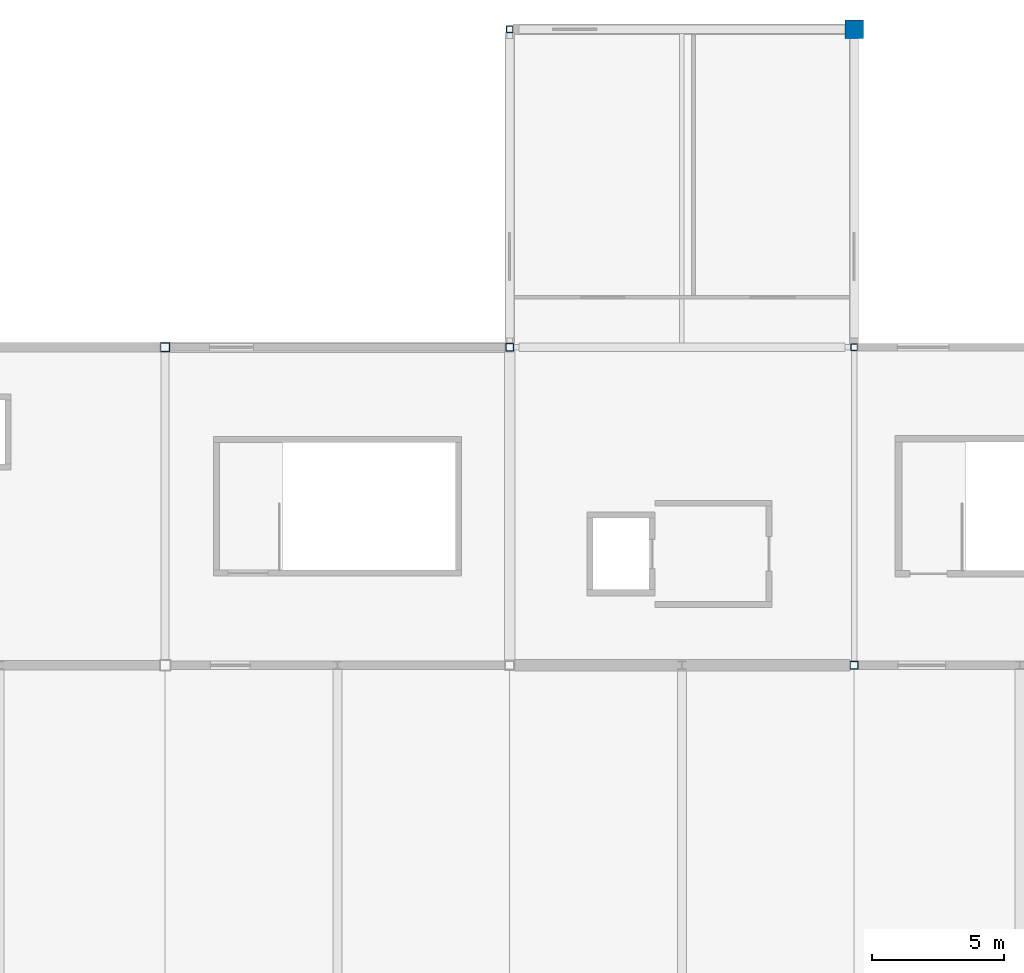
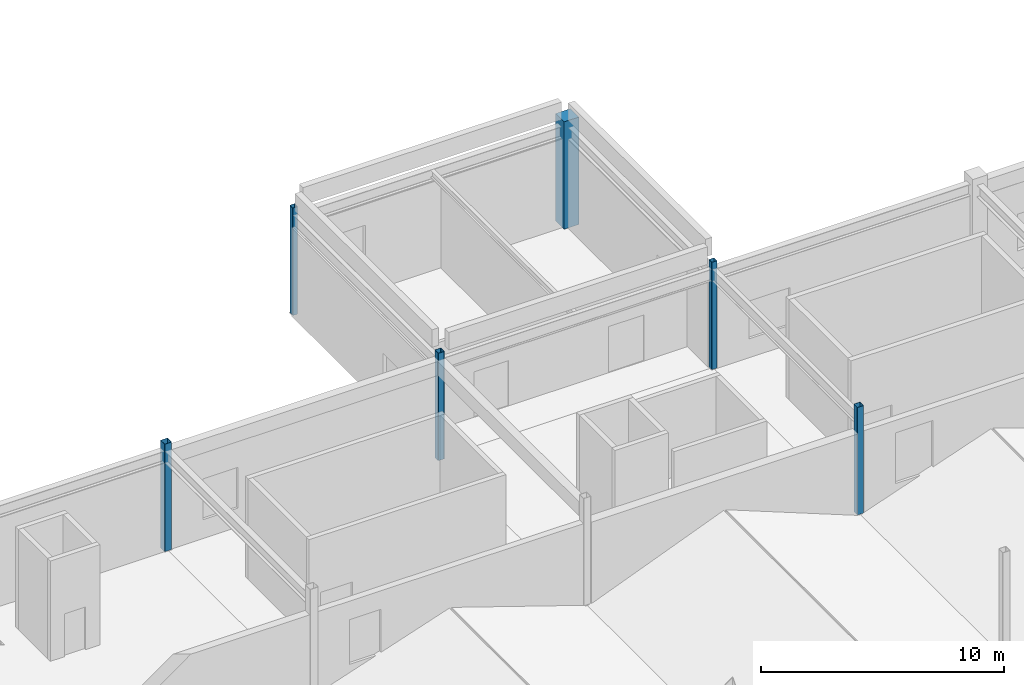
# One storey, part 22 of 76: 6 columns.
"""IFC4 building model written with IfcOpenShell, lengths in metres."""

from ifc_helpers import new_model, si_unit, direction, frame, origin, origin_2d, place, context, subcontext, project, spatial, rectangle, hollow_rectangle, extrude, material, material_profile, profile_set, type_object, element, save


model = new_model("IFC4")

# Units and contexts
model_context = context("Model", 3, precision=1e-05, world=origin(), true_north=direction((0.0, 1.0)))
body_context = subcontext(model_context, "Body", "Model", "MODEL_VIEW")
ifc_project = project(units=[si_unit("LENGTHUNIT", "METRE"), si_unit("AREAUNIT", "SQUARE_METRE"), si_unit("VOLUMEUNIT", "CUBIC_METRE"), si_unit("PLANEANGLEUNIT", "RADIAN"), si_unit("MASSUNIT", "GRAM", prefix="KILO")], contexts=[model_context])

# Site, building, storey
site_placement = place(None, origin())
site = spatial("IfcSite", under=ifc_project, at=site_placement, CompositionType="ELEMENT")
building_placement = place(site_placement, origin())
building = spatial("IfcBuilding", under=site, at=building_placement, Name="Kazenohara Klinker Stadium", CompositionType="ELEMENT")
storey_placement = place(building_placement, frame((0.0, 0.0, 25.800048828125)))
storey = spatial("IfcBuildingStorey", under=building, at=storey_placement, Name="L05", CompositionType="ELEMENT", Elevation=25.800048828125)

# Columns
ifc_material_1 = material(Name="Concrete C40/50", Category="concrete")
ifc_material_profile_1 = material_profile(ifc_material_1, rectangle(XDim=0.699951171875, YDim=0.699951171875, at=origin_2d()), Name="RC-COL-700x700")
ifc_profile_set_1 = profile_set([ifc_material_profile_1], Name="Concrete C40/50")
column_type_1 = type_object("IfcColumnType", Name="COL-RC06", PredefinedType="COLUMN", material=ifc_profile_set_1)
column_1_placement = place(storey_placement, frame((125.0, 168.0, 0.0), z_axis=(0.0, 0.0, 1.0), x_axis=(1.0, 0.0, 0.0)))
element("IfcColumn", 1, at=column_1_placement, inside=storey, type_object=column_type_1, Name="Column C06 L05 11/Q", PredefinedType="COLUMN", context=body_context, shape_type="SweptSolid", body=[
    extrude(rectangle(XDim=0.699951171875, YDim=0.699951171875, at=origin_2d()), origin(), (0.0, 0.0, 1.0), 5.39990234375),
])
ifc_material_2 = material(Name="Steel S355", Category="steel")
ifc_material_profile_2 = material_profile(ifc_material_2, hollow_rectangle(XDim=0.35009765625, YDim=0.35009765625, WallThickness=0.01611328125, InnerFilletRadius=0.01611328125, OuterFilletRadius=0.031982421875, at=origin_2d()), Name="SHS-350x350x16")
ifc_profile_set_2 = profile_set([ifc_material_profile_2], Name="Steel S355")
column_type_2 = type_object("IfcColumnType", Name="COL-ST02", PredefinedType="COLUMN", material=ifc_profile_set_2)
column_2_placement = place(storey_placement, frame((99.0, 156.0, 0.0), z_axis=(0.0, 0.0, 1.0), x_axis=(1.0, 0.0, 0.0)))
element("IfcColumn", 2, at=column_2_placement, inside=storey, type_object=column_type_2, Name="Column SC02 L05 9/P", PredefinedType="COLUMN", context=body_context, shape_type="SweptSolid", body=[
    extrude(hollow_rectangle(XDim=0.35009765625, YDim=0.35009765625, WallThickness=0.01611328125, InnerFilletRadius=0.01611328125, OuterFilletRadius=0.031982421875, at=origin_2d()), origin(), (0.0, 0.0, 1.0), 5.39990234375),
])
ifc_material_profile_3 = material_profile(ifc_material_2, hollow_rectangle(XDim=0.300048828125, YDim=0.300048828125, WallThickness=0.011962890625, InnerFilletRadius=0.011962890625, OuterFilletRadius=0.02392578125, at=origin_2d()), Name="SHS-300x300x12")
ifc_profile_set_3 = profile_set([ifc_material_profile_3], Name="Steel S355")
column_type_3 = type_object("IfcColumnType", Name="COL-ST03", PredefinedType="COLUMN", material=ifc_profile_set_3)
for number, where, z_axis, x_axis, name in (
    (3, (112.0, 156.0, 0.0), (0.0, 0.0, 1.0), (1.0, 0.0, 0.0), "Column SC03 L05 10/P"),
    (4, (125.0, 144.0, 0.0), (0.0, 0.0, 1.0), (1.0, 0.0, 0.0), "Column SC03 L05 11/N"),
):
    element("IfcColumn", number, at=place(storey_placement, frame(where, z_axis=z_axis, x_axis=x_axis)), inside=storey, type_object=column_type_3, Name=name, PredefinedType="COLUMN", context=body_context, shape_type="SweptSolid", body=[
        extrude(hollow_rectangle(XDim=0.300048828125, YDim=0.300048828125, WallThickness=0.011962890625, InnerFilletRadius=0.011962890625, OuterFilletRadius=0.02392578125, at=origin_2d()), origin(), (0.0, 0.0, 1.0), 5.39990234375),
    ])
ifc_material_profile_4 = material_profile(ifc_material_2, hollow_rectangle(XDim=0.25, YDim=0.25, WallThickness=0.011962890625, InnerFilletRadius=0.011962890625, OuterFilletRadius=0.02392578125, at=origin_2d()), Name="SHS-250x250x12")
ifc_profile_set_4 = profile_set([ifc_material_profile_4], Name="Steel S355")
column_type_4 = type_object("IfcColumnType", Name="COL-ST04", PredefinedType="COLUMN", material=ifc_profile_set_4)
for number, where, z_axis, x_axis, name in (
    (5, (112.0, 168.0, 0.0), (0.0, 0.0, 1.0), (1.0, 0.0, 0.0), "Column SC04 L05 10/Q"),
    (6, (125.0, 156.0, 0.0), (0.0, 0.0, 1.0), (1.0, 0.0, 0.0), "Column SC04 L05 11/P"),
):
    element("IfcColumn", number, at=place(storey_placement, frame(where, z_axis=z_axis, x_axis=x_axis)), inside=storey, type_object=column_type_4, Name=name, PredefinedType="COLUMN", context=body_context, shape_type="SweptSolid", body=[
        extrude(hollow_rectangle(XDim=0.25, YDim=0.25, WallThickness=0.011962890625, InnerFilletRadius=0.011962890625, OuterFilletRadius=0.02392578125, at=origin_2d()), origin(), (0.0, 0.0, 1.0), 5.39990234375),
    ])

save(model, "model.ifc")
